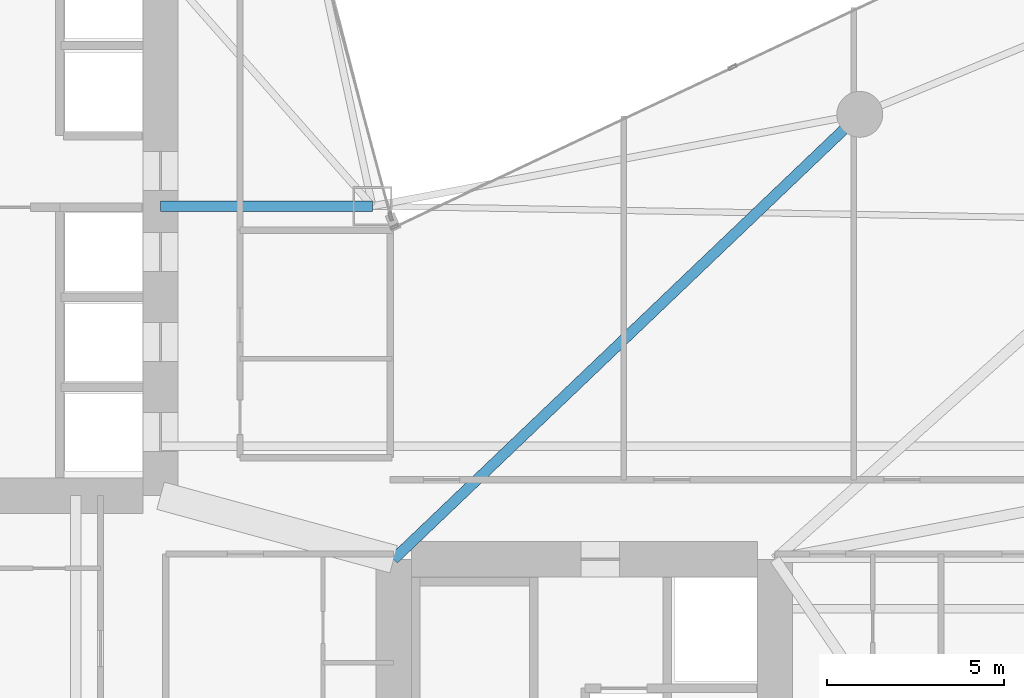
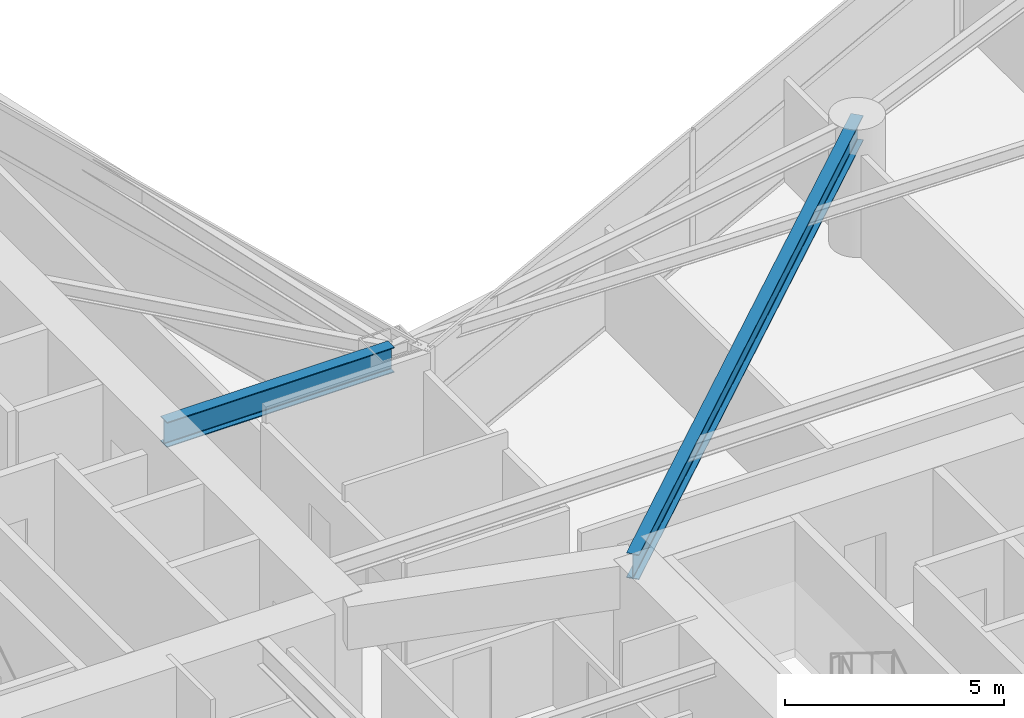
# One storey, part 9 of 30: 2 beams.
"""IFC4 building model written with IfcOpenShell, lengths in metres."""

from ifc_helpers import new_model, si_unit, direction, frame, origin, origin_2d, place, context, subcontext, project, spatial, i_section, extrude, material, material_profile, profile_set, type_object, element, save


model = new_model("IFC4")

# Units and contexts
model_context = context("Model", 3, precision=1e-05, world=origin(), true_north=direction((0.0, 1.0)))
body_context = subcontext(model_context, "Body", "Model", "MODEL_VIEW")
ifc_project = project(units=[si_unit("LENGTHUNIT", "METRE"), si_unit("AREAUNIT", "SQUARE_METRE"), si_unit("VOLUMEUNIT", "CUBIC_METRE"), si_unit("PLANEANGLEUNIT", "RADIAN"), si_unit("MASSUNIT", "GRAM", prefix="KILO")], contexts=[model_context])

# Site, building, storey
site_placement = place(None, origin())
site = spatial("IfcSite", under=ifc_project, at=site_placement, CompositionType="ELEMENT")
building_placement = place(site_placement, origin())
building = spatial("IfcBuilding", under=site, at=building_placement, Name="Calvorn Quay Hotel", CompositionType="ELEMENT")
storey_placement = place(building_placement, frame((0.0, 0.0, 77.39990234375)))
storey = spatial("IfcBuildingStorey", under=building, at=storey_placement, Name="L18", CompositionType="ELEMENT", Elevation=77.39990234375)

# Beams
ifc_material = material(Name="Steel Q390GJC", Category="steel")
ifc_material_profile = material_profile(ifc_material, i_section(OverallWidth=0.300048828125, OverallDepth=0.699951171875, WebThickness=0.012939453125, FlangeThickness=0.02392578125, FilletRadius=0.02392578125, at=origin_2d()), Name="HN700x300x13x24")
ifc_profile_set = profile_set([ifc_material_profile], Name="Steel Q390GJC")
beam_type = type_object("IfcBeamType", Name="BM-GIRD-MAIN", PredefinedType="BEAM", material=ifc_profile_set)
beam_1_placement = place(storey_placement, frame((21.0, 25.0, 3.190185546875), z_axis=(-1.0, 0.0, 0.0), x_axis=(0.0, -1.0, 0.0)))
element("IfcBeam", 1, at=beam_1_placement, inside=storey, type_object=beam_type, Name="Beam BG-L18-W7", PredefinedType="BEAM", context=body_context, shape_type="SweptSolid", body=[
    extrude(i_section(OverallWidth=0.300048828125, OverallDepth=0.699951171875, WebThickness=0.012939453125, FlangeThickness=0.02392578125, FilletRadius=0.02392578125, at=origin_2d()), origin(), (0.0, 0.0, 1.0), 6.0),
])
beam_2_placement = place(storey_placement, frame((21.60009765625, 15.0, 3.190185546875), z_axis=(0.723351595578, 0.690479883252, 0.0), x_axis=(-0.690479883252, 0.723351595578, 0.0)))
element("IfcBeam", 2, at=beam_2_placement, inside=storey, type_object=beam_type, Name="Beam BG-L18-E4", PredefinedType="BEAM", context=body_context, shape_type="SweptSolid", body=[
    extrude(i_section(OverallWidth=0.300048828125, OverallDepth=0.699951171875, WebThickness=0.012939453125, FlangeThickness=0.02392578125, FilletRadius=0.02392578125, at=origin_2d()), origin(), (0.0, 0.0, 1.0), 18.248291015625),
])

save(model, "model.ifc")
